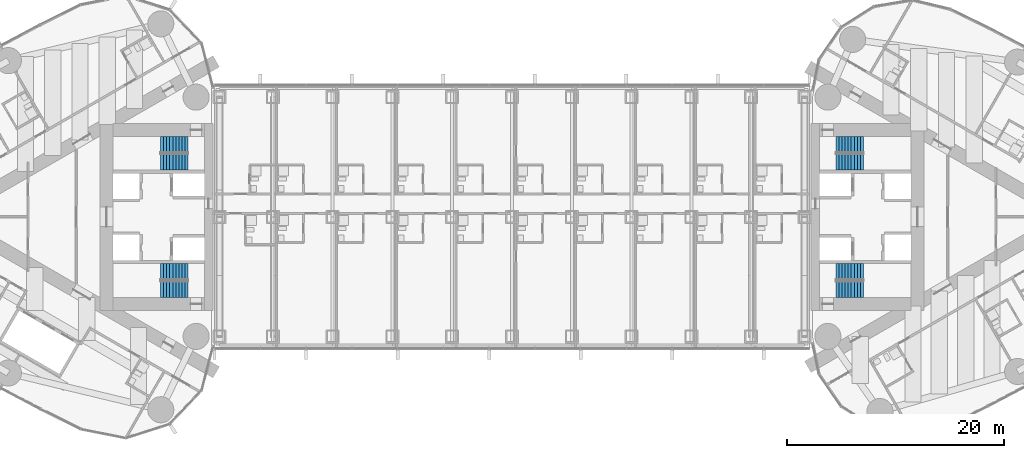
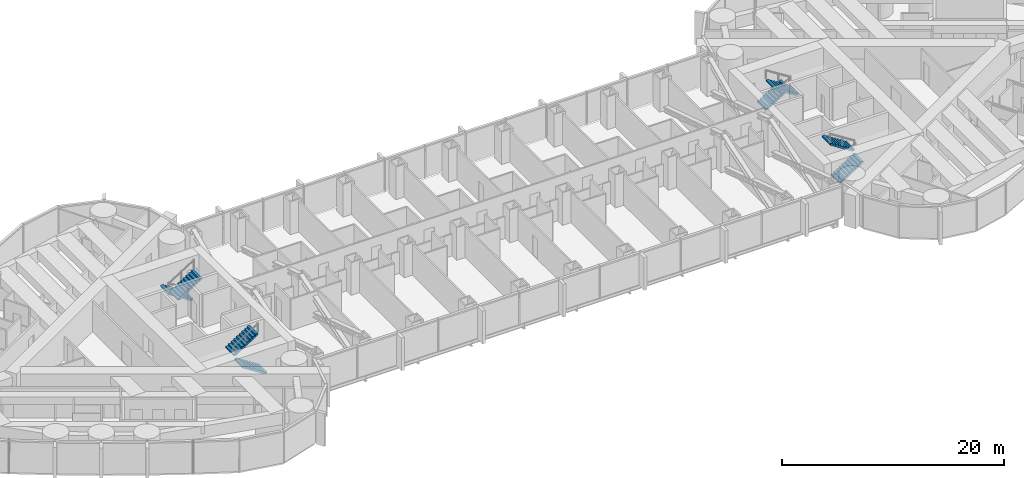
# One storey, part 21 of 23: 8 stair flights, 4 elements without a shape of their own.
"""IFC4 building model written with IfcOpenShell, lengths in metres."""

from ifc_helpers import new_model, si_unit, direction, frame, origin, place, context, subcontext, project, spatial, polyline, outline, extrude, material, type_object, element, aggregate, save


model = new_model("IFC4")

# Units and contexts
model_context = context("Model", 3, precision=1e-05, world=origin(), true_north=direction((0.0, 1.0)))
body_context = subcontext(model_context, "Body", "Model", "MODEL_VIEW")
ifc_project = project(units=[si_unit("LENGTHUNIT", "METRE"), si_unit("AREAUNIT", "SQUARE_METRE"), si_unit("VOLUMEUNIT", "CUBIC_METRE"), si_unit("PLANEANGLEUNIT", "RADIAN"), si_unit("MASSUNIT", "GRAM", prefix="KILO")], contexts=[model_context])

# Site, building, storey
site_placement = place(None, origin())
site = spatial("IfcSite", under=ifc_project, at=site_placement, CompositionType="ELEMENT")
building_placement = place(site_placement, origin())
building = spatial("IfcBuilding", under=site, at=building_placement, Name="Lancet Gate Hotel", CompositionType="ELEMENT")
storey_placement = place(building_placement, frame((0.0, 0.0, 215.300048828125)))
storey = spatial("IfcBuildingStorey", under=building, at=storey_placement, Name="L57", CompositionType="ELEMENT", Elevation=215.300048828125)

# Stair, stair flights
ifc_material_1 = material(Name="Exit stair 20 risers 1500")
stair_type = type_object("IfcStairType", Name="Exit stair 20 risers 1500", PredefinedType="HALF_TURN_STAIR", material=ifc_material_1)
stair_1_placement = place(storey_placement, origin())
stair_1 = element("IfcStair", 1, at=stair_1_placement, inside=storey, type_object=stair_type, Name="T1 stair 1 L57", PredefinedType="HALF_TURN_STAIR")
ifc_material_2 = material(Name="Stair flight 10 risers 180 rise 1500")
stair_flight_type = type_object("IfcStairFlightType", Name="Stair flight 10 risers 180 rise 1500", PredefinedType="STRAIGHT", material=ifc_material_2)
stair_flight_1_placement = place(storey_placement, frame((-29.800048828125, 6.64990234375, 0.0), z_axis=(0.0, 0.0, 1.0), x_axis=(-1.0, 0.0, 0.0)))
stair_flight_1 = element("IfcStairFlight", 2, at=stair_flight_1_placement, type_object=stair_flight_type, Name="ST1 flight 1", NumberOfRisers=10, NumberOfTreads=9, PredefinedType="STRAIGHT", RiserHeight=0.18, TreadLength=0.28, context=body_context, shape_type="SweptSolid", body=[
    extrude(outline(polyline([(0.0, 0.0), (0.0, 0.179931640625), (0.280029296875, 0.179931640625), (0.280029296875, 0.360107421875), (0.56005859375, 0.360107421875), (0.56005859375, 0.5400390625), (0.840087890625, 0.5400390625), (0.840087890625, 0.719970703125), (1.1201171875, 0.719970703125), (1.1201171875, 0.89990234375), (1.39990234375, 0.89990234375), (1.39990234375, 1.080078125), (1.679931640625, 1.080078125), (1.679931640625, 1.260009765625), (1.9599609375, 1.260009765625), (1.9599609375, 1.43994140625), (2.239990234375, 1.43994140625), (2.239990234375, 1.6201171875), (2.52001953125, 1.6201171875), (2.52001953125, 1.800048828125), (2.52001953125, 1.44189453125), (0.277099609375, 0.0), (0.0, 0.0)])), frame((0.0, 0.75, 0.0), z_axis=(0.0, -1.0, 0.0), x_axis=(1.0, 0.0, 0.0)), (0.0, 0.0, 1.0), 1.5),
])
stair_flight_2_placement = place(storey_placement, frame((-32.320068359375, 5.050048828125, 1.800048828125), z_axis=(0.0, 0.0, 1.0), x_axis=(1.0, 0.0, 0.0)))
stair_flight_2 = element("IfcStairFlight", 3, at=stair_flight_2_placement, type_object=stair_flight_type, Name="ST1 flight 2", NumberOfRisers=10, NumberOfTreads=9, PredefinedType="STRAIGHT", RiserHeight=0.18, TreadLength=0.28, context=body_context, shape_type="SweptSolid", body=[
    extrude(outline(polyline([(0.0, 0.0), (0.0, 0.179931640625), (0.280029296875, 0.179931640625), (0.280029296875, 0.360107421875), (0.56005859375, 0.360107421875), (0.56005859375, 0.5400390625), (0.840087890625, 0.5400390625), (0.840087890625, 0.719970703125), (1.1201171875, 0.719970703125), (1.1201171875, 0.89990234375), (1.39990234375, 0.89990234375), (1.39990234375, 1.080078125), (1.679931640625, 1.080078125), (1.679931640625, 1.260009765625), (1.9599609375, 1.260009765625), (1.9599609375, 1.43994140625), (2.239990234375, 1.43994140625), (2.239990234375, 1.6201171875), (2.52001953125, 1.6201171875), (2.52001953125, 1.800048828125), (2.52001953125, 1.44189453125), (0.277099609375, 0.0), (0.0, 0.0)])), frame((0.0, 0.75, 0.0), z_axis=(0.0, -1.0, 0.0), x_axis=(1.0, 0.0, 0.0)), (0.0, 0.0, 1.0), 1.5),
])
aggregate(stair_1, [stair_flight_1, stair_flight_2])

stair_2_placement = place(storey_placement, origin())
stair_2 = element("IfcStair", 4, at=stair_2_placement, inside=storey, type_object=stair_type, Name="T1 stair 2 L57", PredefinedType="HALF_TURN_STAIR")
stair_flight_3_placement = place(storey_placement, frame((-29.800048828125, -6.64990234375, 0.0), z_axis=(0.0, 0.0, 1.0), x_axis=(-1.0, 0.0, 0.0)))
stair_flight_3 = element("IfcStairFlight", 5, at=stair_flight_3_placement, type_object=stair_flight_type, Name="ST2 flight 1", NumberOfRisers=10, NumberOfTreads=9, PredefinedType="STRAIGHT", RiserHeight=0.18, TreadLength=0.28, context=body_context, shape_type="SweptSolid", body=[
    extrude(outline(polyline([(0.0, 0.0), (0.0, 0.179931640625), (0.280029296875, 0.179931640625), (0.280029296875, 0.360107421875), (0.56005859375, 0.360107421875), (0.56005859375, 0.5400390625), (0.840087890625, 0.5400390625), (0.840087890625, 0.719970703125), (1.1201171875, 0.719970703125), (1.1201171875, 0.89990234375), (1.39990234375, 0.89990234375), (1.39990234375, 1.080078125), (1.679931640625, 1.080078125), (1.679931640625, 1.260009765625), (1.9599609375, 1.260009765625), (1.9599609375, 1.43994140625), (2.239990234375, 1.43994140625), (2.239990234375, 1.6201171875), (2.52001953125, 1.6201171875), (2.52001953125, 1.800048828125), (2.52001953125, 1.44189453125), (0.277099609375, 0.0), (0.0, 0.0)])), frame((0.0, 0.75, 0.0), z_axis=(0.0, -1.0, 0.0), x_axis=(1.0, 0.0, 0.0)), (0.0, 0.0, 1.0), 1.5),
])
stair_flight_4_placement = place(storey_placement, frame((-32.320068359375, -5.050048828125, 1.800048828125), z_axis=(0.0, 0.0, 1.0), x_axis=(1.0, 0.0, 0.0)))
stair_flight_4 = element("IfcStairFlight", 6, at=stair_flight_4_placement, type_object=stair_flight_type, Name="ST2 flight 2", NumberOfRisers=10, NumberOfTreads=9, PredefinedType="STRAIGHT", RiserHeight=0.18, TreadLength=0.28, context=body_context, shape_type="SweptSolid", body=[
    extrude(outline(polyline([(0.0, 0.0), (0.0, 0.179931640625), (0.280029296875, 0.179931640625), (0.280029296875, 0.360107421875), (0.56005859375, 0.360107421875), (0.56005859375, 0.5400390625), (0.840087890625, 0.5400390625), (0.840087890625, 0.719970703125), (1.1201171875, 0.719970703125), (1.1201171875, 0.89990234375), (1.39990234375, 0.89990234375), (1.39990234375, 1.080078125), (1.679931640625, 1.080078125), (1.679931640625, 1.260009765625), (1.9599609375, 1.260009765625), (1.9599609375, 1.43994140625), (2.239990234375, 1.43994140625), (2.239990234375, 1.6201171875), (2.52001953125, 1.6201171875), (2.52001953125, 1.800048828125), (2.52001953125, 1.44189453125), (0.277099609375, 0.0), (0.0, 0.0)])), frame((0.0, 0.75, 0.0), z_axis=(0.0, -1.0, 0.0), x_axis=(1.0, 0.0, 0.0)), (0.0, 0.0, 1.0), 1.5),
])
aggregate(stair_2, [stair_flight_3, stair_flight_4])

stair_3_placement = place(storey_placement, origin())
stair_3 = element("IfcStair", 7, at=stair_3_placement, inside=storey, type_object=stair_type, Name="T2 stair 1 L57", PredefinedType="HALF_TURN_STAIR")
stair_flight_5_placement = place(storey_placement, frame((29.800048828125, -6.64990234375, 0.0), z_axis=(0.0, 0.0, 1.0), x_axis=(1.0, 0.0, 0.0)))
stair_flight_5 = element("IfcStairFlight", 8, at=stair_flight_5_placement, type_object=stair_flight_type, Name="ST3 flight 1", NumberOfRisers=10, NumberOfTreads=9, PredefinedType="STRAIGHT", RiserHeight=0.18, TreadLength=0.28, context=body_context, shape_type="SweptSolid", body=[
    extrude(outline(polyline([(0.0, 0.0), (0.0, 0.179931640625), (0.280029296875, 0.179931640625), (0.280029296875, 0.360107421875), (0.56005859375, 0.360107421875), (0.56005859375, 0.5400390625), (0.840087890625, 0.5400390625), (0.840087890625, 0.719970703125), (1.1201171875, 0.719970703125), (1.1201171875, 0.89990234375), (1.39990234375, 0.89990234375), (1.39990234375, 1.080078125), (1.679931640625, 1.080078125), (1.679931640625, 1.260009765625), (1.9599609375, 1.260009765625), (1.9599609375, 1.43994140625), (2.239990234375, 1.43994140625), (2.239990234375, 1.6201171875), (2.52001953125, 1.6201171875), (2.52001953125, 1.800048828125), (2.52001953125, 1.44189453125), (0.277099609375, 0.0), (0.0, 0.0)])), frame((0.0, 0.75, 0.0), z_axis=(0.0, -1.0, 0.0), x_axis=(1.0, 0.0, 0.0)), (0.0, 0.0, 1.0), 1.5),
])
stair_flight_6_placement = place(storey_placement, frame((32.320068359375, -5.050048828125, 1.800048828125), z_axis=(0.0, 0.0, 1.0), x_axis=(-1.0, 0.0, 0.0)))
stair_flight_6 = element("IfcStairFlight", 9, at=stair_flight_6_placement, type_object=stair_flight_type, Name="ST3 flight 2", NumberOfRisers=10, NumberOfTreads=9, PredefinedType="STRAIGHT", RiserHeight=0.18, TreadLength=0.28, context=body_context, shape_type="SweptSolid", body=[
    extrude(outline(polyline([(0.0, 0.0), (0.0, 0.179931640625), (0.280029296875, 0.179931640625), (0.280029296875, 0.360107421875), (0.56005859375, 0.360107421875), (0.56005859375, 0.5400390625), (0.840087890625, 0.5400390625), (0.840087890625, 0.719970703125), (1.1201171875, 0.719970703125), (1.1201171875, 0.89990234375), (1.39990234375, 0.89990234375), (1.39990234375, 1.080078125), (1.679931640625, 1.080078125), (1.679931640625, 1.260009765625), (1.9599609375, 1.260009765625), (1.9599609375, 1.43994140625), (2.239990234375, 1.43994140625), (2.239990234375, 1.6201171875), (2.52001953125, 1.6201171875), (2.52001953125, 1.800048828125), (2.52001953125, 1.44189453125), (0.277099609375, 0.0), (0.0, 0.0)])), frame((0.0, 0.75, 0.0), z_axis=(0.0, -1.0, 0.0), x_axis=(1.0, 0.0, 0.0)), (0.0, 0.0, 1.0), 1.5),
])
aggregate(stair_3, [stair_flight_5, stair_flight_6])

stair_4_placement = place(storey_placement, origin())
stair_4 = element("IfcStair", 10, at=stair_4_placement, inside=storey, type_object=stair_type, Name="T2 stair 2 L57", PredefinedType="HALF_TURN_STAIR")
stair_flight_7_placement = place(storey_placement, frame((29.800048828125, 6.64990234375, 0.0), z_axis=(0.0, 0.0, 1.0), x_axis=(1.0, 0.0, 0.0)))
stair_flight_7 = element("IfcStairFlight", 11, at=stair_flight_7_placement, type_object=stair_flight_type, Name="ST4 flight 1", NumberOfRisers=10, NumberOfTreads=9, PredefinedType="STRAIGHT", RiserHeight=0.18, TreadLength=0.28, context=body_context, shape_type="SweptSolid", body=[
    extrude(outline(polyline([(0.0, 0.0), (0.0, 0.179931640625), (0.280029296875, 0.179931640625), (0.280029296875, 0.360107421875), (0.56005859375, 0.360107421875), (0.56005859375, 0.5400390625), (0.840087890625, 0.5400390625), (0.840087890625, 0.719970703125), (1.1201171875, 0.719970703125), (1.1201171875, 0.89990234375), (1.39990234375, 0.89990234375), (1.39990234375, 1.080078125), (1.679931640625, 1.080078125), (1.679931640625, 1.260009765625), (1.9599609375, 1.260009765625), (1.9599609375, 1.43994140625), (2.239990234375, 1.43994140625), (2.239990234375, 1.6201171875), (2.52001953125, 1.6201171875), (2.52001953125, 1.800048828125), (2.52001953125, 1.44189453125), (0.277099609375, 0.0), (0.0, 0.0)])), frame((0.0, 0.75, 0.0), z_axis=(0.0, -1.0, 0.0), x_axis=(1.0, 0.0, 0.0)), (0.0, 0.0, 1.0), 1.5),
])
stair_flight_8_placement = place(storey_placement, frame((32.320068359375, 5.050048828125, 1.800048828125), z_axis=(0.0, 0.0, 1.0), x_axis=(-1.0, 0.0, 0.0)))
stair_flight_8 = element("IfcStairFlight", 12, at=stair_flight_8_placement, type_object=stair_flight_type, Name="ST4 flight 2", NumberOfRisers=10, NumberOfTreads=9, PredefinedType="STRAIGHT", RiserHeight=0.18, TreadLength=0.28, context=body_context, shape_type="SweptSolid", body=[
    extrude(outline(polyline([(0.0, 0.0), (0.0, 0.179931640625), (0.280029296875, 0.179931640625), (0.280029296875, 0.360107421875), (0.56005859375, 0.360107421875), (0.56005859375, 0.5400390625), (0.840087890625, 0.5400390625), (0.840087890625, 0.719970703125), (1.1201171875, 0.719970703125), (1.1201171875, 0.89990234375), (1.39990234375, 0.89990234375), (1.39990234375, 1.080078125), (1.679931640625, 1.080078125), (1.679931640625, 1.260009765625), (1.9599609375, 1.260009765625), (1.9599609375, 1.43994140625), (2.239990234375, 1.43994140625), (2.239990234375, 1.6201171875), (2.52001953125, 1.6201171875), (2.52001953125, 1.800048828125), (2.52001953125, 1.44189453125), (0.277099609375, 0.0), (0.0, 0.0)])), frame((0.0, 0.75, 0.0), z_axis=(0.0, -1.0, 0.0), x_axis=(1.0, 0.0, 0.0)), (0.0, 0.0, 1.0), 1.5),
])
aggregate(stair_4, [stair_flight_7, stair_flight_8])

save(model, "model.ifc")
